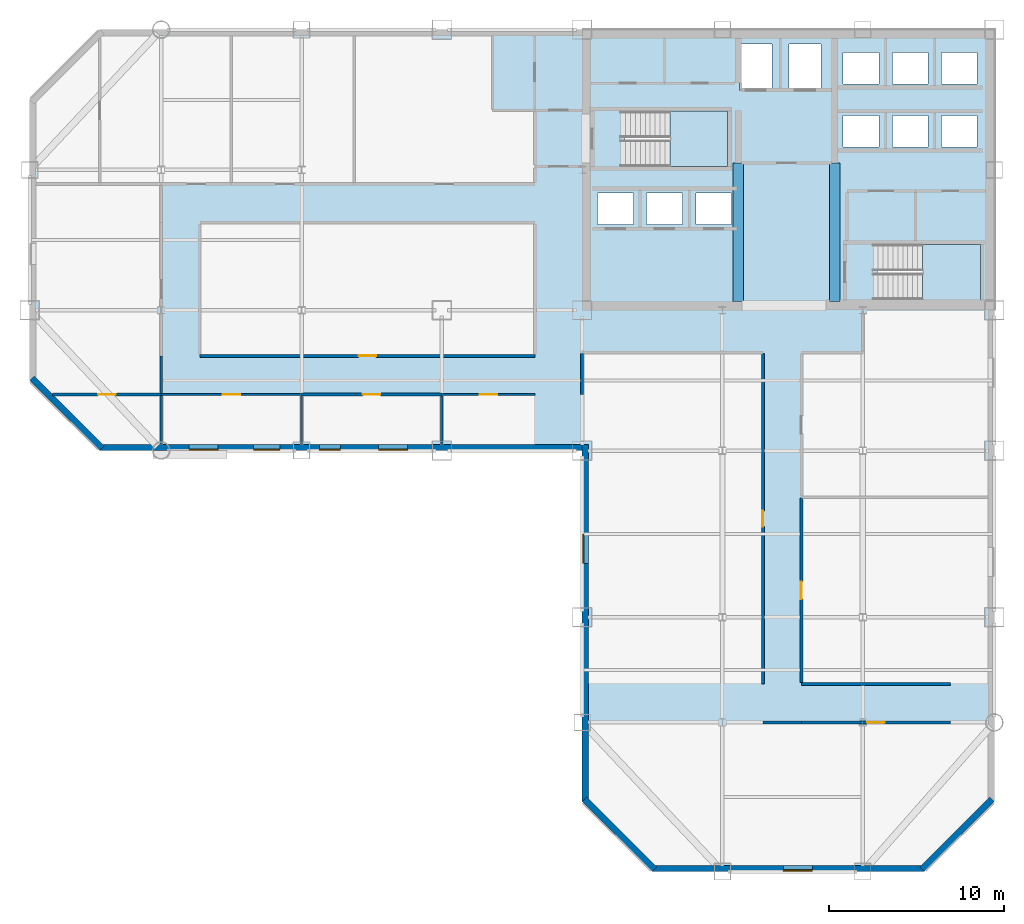
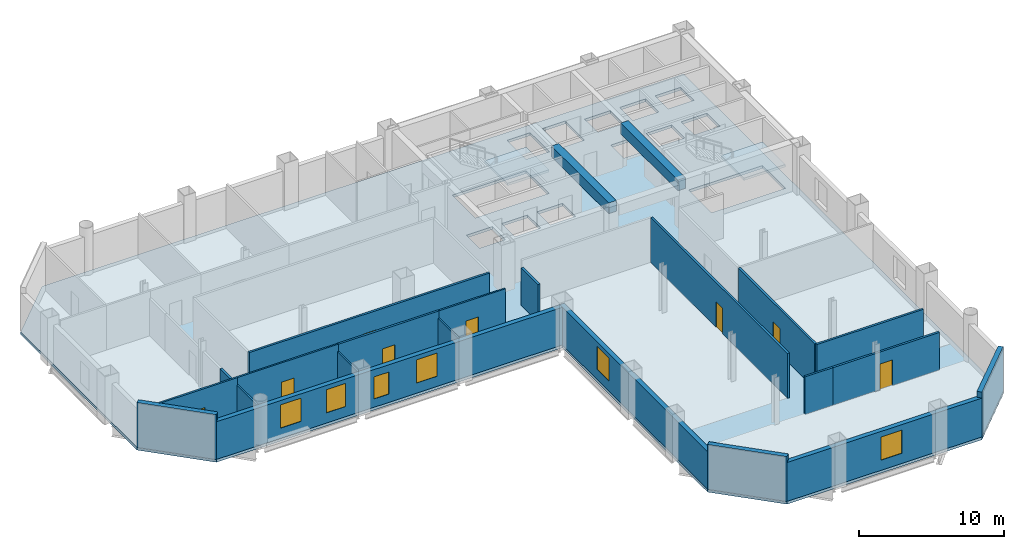
# One storey, part 5 of 10: 21 walls, 8 doors, 6 windows, 3 slabs, 2 beams, 14 openings, 2 elements without a shape of their own.
"""IFC4 building model written with IfcOpenShell, lengths in metres."""

from ifc_helpers import new_model, si_unit, direction, frame, frame_2d, origin, origin_2d, place, context, subcontext, project, spatial, polyline, rectangle, outline, extrude, material, layer, layer_set, material_profile, profile_set, type_object, element, fill, aggregate, save


model = new_model("IFC4")

# Units and contexts
model_context = context("Model", 3, precision=1e-05, world=origin(), true_north=direction((0.0, 1.0)))
body_context = subcontext(model_context, "Body", "Model", "MODEL_VIEW")
ifc_project = project(units=[si_unit("LENGTHUNIT", "METRE"), si_unit("AREAUNIT", "SQUARE_METRE"), si_unit("VOLUMEUNIT", "CUBIC_METRE"), si_unit("PLANEANGLEUNIT", "RADIAN"), si_unit("MASSUNIT", "GRAM", prefix="KILO")], contexts=[model_context])

# Site, building, storey
site_placement = place(None, origin())
site = spatial("IfcSite", under=ifc_project, at=site_placement, CompositionType="ELEMENT")
building_placement = place(site_placement, origin())
building = spatial("IfcBuilding", under=site, at=building_placement, Name="Qianrong Seaharbour Tower", CompositionType="ELEMENT")
storey_placement = place(building_placement, frame((0.0, 0.0, 167.0)))
storey = spatial("IfcBuildingStorey", under=building, at=storey_placement, Name="L40", CompositionType="ELEMENT", Elevation=167.0)

# Beams
ifc_material_1 = material(Name="Concrete C70/85", Category="concrete")
ifc_material_profile = material_profile(ifc_material_1, rectangle(XDim=0.60009765625, YDim=0.89990234375, at=origin_2d()), Name="RC600x900")
ifc_profile_set = profile_set([ifc_material_profile], Name="Concrete C70/85")
beam_type = type_object("IfcBeamType", Name="BM-LINTEL-900", PredefinedType="LINTEL", material=ifc_profile_set)
for number, where, z_axis, x_axis, name in (
    (1, (49.39990234375, 36.5, 3.31494140625), (0.0, 1.0, 0.0), (-1.0, 0.0, 0.0), "L40 Internal Core Coupling Beam IW1"),
    (2, (54.89990234375, 36.5, 3.31494140625), (0.0, 1.0, 0.0), (-1.0, 0.0, 0.0), "L40 Internal Core Coupling Beam IW2"),
):
    element("IfcBeam", number, at=place(storey_placement, frame(where, z_axis=z_axis, x_axis=x_axis)), inside=storey, type_object=beam_type, Name=name, PredefinedType="LINTEL", context=body_context, shape_type="SweptSolid", body=[
        extrude(rectangle(XDim=0.60009765625, YDim=0.89990234375, at=origin_2d()), origin(), (0.0, 0.0, 1.0), 7.89990234375),
    ])

# Stair, slab
ifc_material_2 = material(Name="Concrete C50/60", Category="concrete")
stair_type = type_object("IfcStairType", Name="STAIR-DOGLEG-1500-R22", PredefinedType="HALF_TURN_STAIR", material=ifc_material_2)
stair_1_placement = place(storey_placement, origin())
stair_1 = element("IfcStair", 3, at=stair_1_placement, inside=storey, type_object=stair_type, Name="L40 Protected Escape Stair ST-1", PredefinedType="HALF_TURN_STAIR")
ifc_layer_1 = layer(ifc_material_2, 0.199951171875)
ifc_layer_set_1 = layer_set([ifc_layer_1], Name="Concrete C50/60")
slab_type_1 = type_object("IfcSlabType", Name="SLAB-STAIR-LANDING-200", PredefinedType="LANDING", material=ifc_layer_set_1)
slab_1_placement = place(storey_placement, frame((0.0, 0.0, 1.800048828125)))
slab_1 = element("IfcSlab", 4, at=slab_1_placement, type_object=slab_type_1, Name="ST-1 landing 1", PredefinedType="LANDING", context=body_context, shape_type="SweptSolid", body=[
    extrude(outline(polyline([(45.5, 44.199951171875), (48.800048828125, 44.199951171875), (48.800048828125, 47.35009765625), (45.5, 47.35009765625), (45.5, 44.199951171875)])), origin(), (0.0, 0.0, 1.0), 0.199951171875),
])
aggregate(stair_1, [slab_1])

stair_2_placement = place(storey_placement, origin())
stair_2 = element("IfcStair", 5, at=stair_2_placement, inside=storey, type_object=stair_type, Name="L40 Protected Escape Stair ST-2", PredefinedType="HALF_TURN_STAIR")
slab_2_placement = place(storey_placement, frame((0.0, 0.0, 1.800048828125)))
slab_2 = element("IfcSlab", 6, at=slab_2_placement, type_object=slab_type_1, Name="ST-2 landing 1", PredefinedType="LANDING", context=body_context, shape_type="SweptSolid", body=[
    extrude(outline(polyline([(59.89990234375, 36.60009765625), (63.199951171875, 36.60009765625), (63.199951171875, 39.75), (59.89990234375, 39.75), (59.89990234375, 36.60009765625)])), origin(), (0.0, 0.0, 1.0), 0.199951171875),
])
aggregate(stair_2, [slab_2])

# Slab
ifc_layer_2 = layer(ifc_material_2, 0.235107421875)
ifc_layer_set_2 = layer_set([ifc_layer_2], Name="Concrete C50/60")
slab_type_2 = type_object("IfcSlabType", Name="SLAB-Z2-235", PredefinedType="FLOOR", material=ifc_layer_set_2)
slab_3_placement = place(storey_placement, frame((0.0, 0.0, -0.235107421875)))
element("IfcSlab", 7, at=slab_3_placement, inside=storey, type_object=slab_type_2, Name="L40 Structural Floor Slab", PredefinedType="FLOOR", context=body_context, shape_type="SweptSolid", body=[
    extrude(outline(polyline([(44.5, 4.0), (60.0, 4.0), (64.0, 8.0), (64.0, 52.0), (13.0, 52.0), (9.0, 48.0), (9.0, 32.0), (13.0, 28.0), (40.5, 28.0), (40.5, 8.0), (44.5, 4.0)]), holes=[polyline([(42.93994140625, 44.199951171875), (42.93994140625, 47.35009765625), (48.800048828125, 47.35009765625), (48.800048828125, 44.199951171875), (42.93994140625, 44.199951171875)]), polyline([(57.340087890625, 36.60009765625), (57.340087890625, 39.75), (63.199951171875, 39.75), (63.199951171875, 36.60009765625), (57.340087890625, 36.60009765625)]), polyline([(49.47998046875, 48.530029296875), (49.47998046875, 51.169921875), (51.320068359375, 51.169921875), (51.320068359375, 48.530029296875), (49.47998046875, 48.530029296875)]), polyline([(52.280029296875, 48.530029296875), (52.280029296875, 51.169921875), (54.1201171875, 51.169921875), (54.1201171875, 48.530029296875), (52.280029296875, 48.530029296875)]), polyline([(41.3798828125, 40.89990234375), (41.3798828125, 42.699951171875), (43.419921875, 42.699951171875), (43.419921875, 40.89990234375), (41.3798828125, 40.89990234375)]), polyline([(44.179931640625, 40.89990234375), (44.179931640625, 42.699951171875), (46.219970703125, 42.699951171875), (46.219970703125, 40.89990234375), (44.179931640625, 40.89990234375)]), polyline([(46.97998046875, 40.89990234375), (46.97998046875, 42.699951171875), (49.02001953125, 42.699951171875), (49.02001953125, 40.89990234375), (46.97998046875, 40.89990234375)]), polyline([(55.3798828125, 45.300048828125), (55.3798828125, 47.10009765625), (57.419921875, 47.10009765625), (57.419921875, 45.300048828125), (55.3798828125, 45.300048828125)]), polyline([(58.179931640625, 45.300048828125), (58.179931640625, 47.10009765625), (60.219970703125, 47.10009765625), (60.219970703125, 45.300048828125), (58.179931640625, 45.300048828125)]), polyline([(60.97998046875, 45.300048828125), (60.97998046875, 47.10009765625), (63.02001953125, 47.10009765625), (63.02001953125, 45.300048828125), (60.97998046875, 45.300048828125)]), polyline([(55.3798828125, 48.89990234375), (55.3798828125, 50.699951171875), (57.419921875, 50.699951171875), (57.419921875, 48.89990234375), (55.3798828125, 48.89990234375)]), polyline([(58.179931640625, 48.89990234375), (58.179931640625, 50.699951171875), (60.219970703125, 50.699951171875), (60.219970703125, 48.89990234375), (58.179931640625, 48.89990234375)]), polyline([(60.97998046875, 48.89990234375), (60.97998046875, 50.699951171875), (63.02001953125, 50.699951171875), (63.02001953125, 48.89990234375), (60.97998046875, 48.89990234375)])]), origin(), (0.0, 0.0, 1.0), 0.235107421875),
])

# Wall, opening, door
ifc_material_3 = material(Name="Fire-rated acoustic gypsum board partition")
ifc_layer_3 = layer(ifc_material_3, 0.1650390625)
ifc_layer_set_3 = layer_set([ifc_layer_3], Name="Fire-rated acoustic gypsum board partition")
wall_type_1 = type_object("IfcWallType", Name="WALL-CORR-PART-165", PredefinedType="PARTITIONING", material=ifc_layer_set_3)
wall_1_placement = place(storey_placement, frame((18.699951171875, 33.39990234375, 0.0), z_axis=(0.0, 0.0, 1.0), x_axis=(1.0, 0.0, 0.0)))
wall_1 = element("IfcWall", 8, at=wall_1_placement, inside=storey, type_object=wall_type_1, Name="L40 Interior Partition Wall 015", PredefinedType="PARTITIONING", context=body_context, shape_type="SweptSolid", body=[
    extrude(rectangle(XDim=19.10009765625, YDim=0.1650390625, at=frame_2d((9.550048828125, 0.0))), origin(), (0.0, 0.0, 1.0), 3.764892578125),
])
opening_1_placement = place(wall_1_placement, frame((9.050048828125, 0.0, 0.0)))
opening_1 = element("IfcOpeningElement", 9, at=opening_1_placement, cuts=wall_1, Name="Opening DO-01", PredefinedType="OPENING", context=body_context, shape_type="SweptSolid", body=[
    extrude(rectangle(XDim=1.0, YDim=2.14990234375, at=frame_2d((0.5, 1.074951171875))), frame((0.0, 0.092529296875, 0.0), z_axis=(0.0, -1.0, 0.0), x_axis=(1.0, 0.0, 0.0)), (0.0, 0.0, 1.0), 0.18505859375),
])
ifc_material_4 = material(Name="Acoustic timber and galvanized steel fire door assembly", Category="steel")
door_type_1 = type_object("IfcDoorType", Name="DOOR-OFFICE-1000x2150", OperationType="NOTDEFINED", PredefinedType="DOOR", material=ifc_material_4)
door_1_placement = place(opening_1_placement, origin())
door_1 = element("IfcDoor", 10, at=door_1_placement, inside=storey, type_object=door_type_1, Name="L40 Rehabilitation Fitness Hall Door", OperationType="SINGLE_SWING_LEFT", OverallHeight=2.14990234375, OverallWidth=1.0, PredefinedType="DOOR", context=body_context, shape_type="SweptSolid", body=[
    extrude(rectangle(XDim=1.0, YDim=2.14990234375, at=frame_2d((0.5, 1.074951171875))), frame((0.0, 0.02490234375, 0.0), z_axis=(0.0, -1.0, 0.0), x_axis=(1.0, 0.0, 0.0)), (0.0, 0.0, 1.0), 0.050048828125),
])
fill(opening_1, door_1)

wall_2_placement = place(storey_placement, frame((32.5, 31.199951171875, 0.0), z_axis=(0.0, 0.0, 1.0), x_axis=(-1.0, 0.0, 0.0)))
wall_2 = element("IfcWall", 11, at=wall_2_placement, inside=storey, type_object=wall_type_1, Name="L40 Interior Partition Wall 017", PredefinedType="PARTITIONING", context=body_context, shape_type="SweptSolid", body=[
    extrude(rectangle(XDim=8.0, YDim=0.1650390625, at=frame_2d((4.0, 0.0))), origin(), (0.0, 0.0, 1.0), 3.764892578125),
])
opening_2_placement = place(wall_2_placement, frame((3.5, 0.0, 0.0)))
opening_2 = element("IfcOpeningElement", 12, at=opening_2_placement, cuts=wall_2, Name="Opening DO-01", PredefinedType="OPENING", context=body_context, shape_type="SweptSolid", body=[
    extrude(rectangle(XDim=1.0, YDim=2.14990234375, at=frame_2d((0.5, 1.074951171875))), frame((0.0, 0.092529296875, 0.0), z_axis=(0.0, -1.0, 0.0), x_axis=(1.0, 0.0, 0.0)), (0.0, 0.0, 1.0), 0.18505859375),
])
door_2_placement = place(opening_2_placement, origin())
door_2 = element("IfcDoor", 13, at=door_2_placement, inside=storey, type_object=door_type_1, Name="L40 Wellness Room 3 Door", OperationType="SINGLE_SWING_RIGHT", OverallHeight=2.14990234375, OverallWidth=1.0, PredefinedType="DOOR", context=body_context, shape_type="SweptSolid", body=[
    extrude(rectangle(XDim=1.0, YDim=2.14990234375, at=frame_2d((0.5, 1.074951171875))), frame((0.0, 0.02490234375, 0.0), z_axis=(0.0, -1.0, 0.0), x_axis=(1.0, 0.0, 0.0)), (0.0, 0.0, 1.0), 0.050048828125),
])
fill(opening_2, door_2)

# Walls
wall_3_placement = place(storey_placement, frame((16.5, 31.264404296875, 0.0), z_axis=(0.0, 0.0, 1.0), x_axis=(0.0, 1.0, 0.0)))
element("IfcWall", 14, at=wall_3_placement, inside=storey, type_object=wall_type_1, Name="L40 Interior Partition Wall 019", PredefinedType="PARTITIONING", context=body_context, shape_type="SweptSolid", body=[
    extrude(rectangle(XDim=2.135498046875, YDim=0.1650390625, at=frame_2d((1.06787109375, 0.0))), origin(), (0.0, 0.0, 1.0), 3.156982421875),
])
wall_4_placement = place(storey_placement, frame((40.5, 33.525390625, 0.0), z_axis=(0.0, 0.0, 1.0), x_axis=(0.0, -1.0, 0.0)))
element("IfcWall", 15, at=wall_4_placement, inside=storey, type_object=wall_type_1, Name="L40 Interior Partition Wall 029", PredefinedType="PARTITIONING", context=body_context, shape_type="SweptSolid", body=[
    extrude(rectangle(XDim=2.325439453125, YDim=0.1650390625, at=frame_2d((1.16259765625, 0.0))), origin(), (0.0, 0.0, 1.0), 3.156982421875),
])
wall_5_placement = place(storey_placement, frame((53.0, 12.5, 0.0), z_axis=(0.0, 0.0, 1.0), x_axis=(-1.0, 0.0, 0.0)))
element("IfcWall", 16, at=wall_5_placement, inside=storey, type_object=wall_type_1, Name="L40 Interior Partition Wall 033", PredefinedType="PARTITIONING", context=body_context, shape_type="SweptSolid", body=[
    extrude(rectangle(XDim=2.199951171875, YDim=0.1650390625, at=frame_2d((1.10009765625, 0.0))), origin(), (0.0, 0.0, 1.0), 3.156982421875),
])

# Wall, opening, door
wall_6_placement = place(storey_placement, frame((53.0, 25.285400390625, 0.0), z_axis=(0.0, 0.0, 1.0), x_axis=(0.0, -1.0, 0.0)))
wall_6 = element("IfcWall", 17, at=wall_6_placement, inside=storey, type_object=wall_type_1, Name="L40 Interior Partition Wall 034", PredefinedType="PARTITIONING", context=body_context, shape_type="SweptSolid", body=[
    extrude(rectangle(XDim=10.510986328125, YDim=0.1650390625, at=frame_2d((5.25537109375, 0.0))), origin(), (0.0, 0.0, 1.0), 3.764892578125),
])
opening_3_placement = place(wall_6_placement, frame((4.755615234375, 0.0, 0.0)))
opening_3 = element("IfcOpeningElement", 18, at=opening_3_placement, cuts=wall_6, Name="Opening DO-01", PredefinedType="OPENING", context=body_context, shape_type="SweptSolid", body=[
    extrude(rectangle(XDim=1.0, YDim=2.14990234375, at=frame_2d((0.5, 1.074951171875))), frame((0.0, 0.092529296875, 0.0), z_axis=(0.0, -1.0, 0.0), x_axis=(1.0, 0.0, 0.0)), (0.0, 0.0, 1.0), 0.18505859375),
])
door_3_placement = place(opening_3_placement, origin())
door_3 = element("IfcDoor", 19, at=door_3_placement, inside=storey, type_object=door_type_1, Name="L40 Operations Open-Plan Office Door", OperationType="SINGLE_SWING_LEFT", OverallHeight=2.14990234375, OverallWidth=1.0, PredefinedType="DOOR", context=body_context, shape_type="SweptSolid", body=[
    extrude(rectangle(XDim=1.0, YDim=2.14990234375, at=frame_2d((0.5, 1.074951171875))), frame((0.0, 0.02490234375, 0.0), z_axis=(0.0, -1.0, 0.0), x_axis=(1.0, 0.0, 0.0)), (0.0, 0.0, 1.0), 0.050048828125),
])
fill(opening_3, door_3)

wall_7_placement = place(storey_placement, frame((50.800048828125, 14.699951171875, 0.0), z_axis=(0.0, 0.0, 1.0), x_axis=(0.0, 1.0, 0.0)))
wall_7 = element("IfcWall", 20, at=wall_7_placement, inside=storey, type_object=wall_type_1, Name="L40 Interior Partition Wall 036", PredefinedType="PARTITIONING", context=body_context, shape_type="SweptSolid", body=[
    extrude(rectangle(XDim=18.825439453125, YDim=0.1650390625, at=frame_2d((9.41259765625, 0.0))), origin(), (0.0, 0.0, 1.0), 3.764892578125),
])
opening_4_placement = place(wall_7_placement, frame((8.962890625, 0.0, 0.0)))
opening_4 = element("IfcOpeningElement", 21, at=opening_4_placement, cuts=wall_7, Name="Opening DS-01", PredefinedType="OPENING", context=body_context, shape_type="SweptSolid", body=[
    extrude(rectangle(XDim=0.89990234375, YDim=2.14990234375, at=frame_2d((0.449951171875, 1.074951171875))), frame((0.0, 0.092529296875, 0.0), z_axis=(0.0, -1.0, 0.0), x_axis=(1.0, 0.0, 0.0)), (0.0, 0.0, 1.0), 0.18505859375),
])
door_type_2 = type_object("IfcDoorType", Name="DOOR-STORE-900x2150", OperationType="NOTDEFINED", PredefinedType="DOOR", material=ifc_material_4)
door_4_placement = place(opening_4_placement, origin())
door_4 = element("IfcDoor", 22, at=door_4_placement, inside=storey, type_object=door_type_2, Name="L40 Clinical Dispensary Store Door", OperationType="SINGLE_SWING_LEFT", OverallHeight=2.14990234375, OverallWidth=0.89990234375, PredefinedType="DOOR", context=body_context, shape_type="SweptSolid", body=[
    extrude(rectangle(XDim=0.89990234375, YDim=2.14990234375, at=frame_2d((0.449951171875, 1.074951171875))), frame((0.0, 0.02490234375, 0.0), z_axis=(0.0, -1.0, 0.0), x_axis=(1.0, 0.0, 0.0)), (0.0, 0.0, 1.0), 0.050048828125),
])
fill(opening_4, door_4)

wall_8_placement = place(storey_placement, frame((61.5, 12.5, 0.0), z_axis=(0.0, 0.0, 1.0), x_axis=(-1.0, 0.0, 0.0)))
wall_8 = element("IfcWall", 23, at=wall_8_placement, inside=storey, type_object=wall_type_1, Name="L40 Interior Partition Wall 037", PredefinedType="PARTITIONING", context=body_context, shape_type="SweptSolid", body=[
    extrude(rectangle(XDim=8.5, YDim=0.1650390625, at=frame_2d((4.25, 0.0))), origin(), (0.0, 0.0, 1.0), 3.156982421875),
])
opening_5_placement = place(wall_8_placement, frame((3.75, 0.0, 0.0)))
opening_5 = element("IfcOpeningElement", 24, at=opening_5_placement, cuts=wall_8, Name="Opening DO-01", PredefinedType="OPENING", context=body_context, shape_type="SweptSolid", body=[
    extrude(rectangle(XDim=1.0, YDim=2.14990234375, at=frame_2d((0.5, 1.074951171875))), frame((0.0, 0.092529296875, 0.0), z_axis=(0.0, -1.0, 0.0), x_axis=(1.0, 0.0, 0.0)), (0.0, 0.0, 1.0), 0.18505859375),
])
door_5_placement = place(opening_5_placement, origin())
door_5 = element("IfcDoor", 25, at=door_5_placement, inside=storey, type_object=door_type_1, Name="L40 South Tip Open-Plan Office Door", OperationType="SINGLE_SWING_RIGHT", OverallHeight=2.14990234375, OverallWidth=1.0, PredefinedType="DOOR", context=body_context, shape_type="SweptSolid", body=[
    extrude(rectangle(XDim=1.0, YDim=2.14990234375, at=frame_2d((0.5, 1.074951171875))), frame((0.0, 0.02490234375, 0.0), z_axis=(0.0, -1.0, 0.0), x_axis=(1.0, 0.0, 0.0)), (0.0, 0.0, 1.0), 0.050048828125),
])
fill(opening_5, door_5)

# Wall
wall_9_placement = place(storey_placement, frame((53.0, 14.699951171875, 0.0), z_axis=(0.0, 0.0, 1.0), x_axis=(1.0, 0.0, 0.0)))
element("IfcWall", 26, at=wall_9_placement, inside=storey, type_object=wall_type_1, Name="L40 Interior Partition Wall 038", PredefinedType="PARTITIONING", context=body_context, shape_type="SweptSolid", body=[
    extrude(rectangle(XDim=8.5, YDim=0.1650390625, at=frame_2d((4.25, 0.0))), origin(), (0.0, 0.0, 1.0), 3.764892578125),
])

# Wall, opening, window
ifc_material_5 = material(Name="Unitised red brick on Precast concrete C45/55", Category="masonry")
ifc_layer_4 = layer(ifc_material_5, 0.360107421875)
ifc_layer_set_4 = layer_set([ifc_layer_4], Name="Unitised red brick on Precast concrete C45/55")
wall_type_2 = type_object("IfcWallType", Name="WALL-EXT-BRICK-RED-360", PredefinedType="SOLIDWALL", material=ifc_layer_set_4)
wall_10_placement = place(storey_placement, frame((40.679931640625, 8.0, 0.0), z_axis=(0.0, 0.0, 1.0), x_axis=(0.0, 1.0, 0.0)))
wall_10 = element("IfcWall", 27, at=wall_10_placement, inside=storey, type_object=wall_type_2, Name="L40 Exterior Masonry Facade Wall REENTRANT_WEST", PredefinedType="SOLIDWALL", context=body_context, shape_type="SweptSolid", body=[
    extrude(rectangle(XDim=20.360107421875, YDim=0.360107421875, at=frame_2d((10.18017578125, 0.0))), origin(), (0.0, 0.0, 1.0), 3.1650390625),
])
opening_6_placement = place(wall_10_placement, frame((13.574951171875, 0.0, 0.85009765625)))
opening_6 = element("IfcOpeningElement", 28, at=opening_6_placement, cuts=wall_10, Name="Opening WN-04", PredefinedType="OPENING", context=body_context, shape_type="SweptSolid", body=[
    extrude(rectangle(XDim=1.64990234375, YDim=1.949951171875, at=frame_2d((0.824951171875, 0.97509765625))), frame((0.0, 0.18994140625, 0.0), z_axis=(0.0, -1.0, 0.0), x_axis=(1.0, 0.0, 0.0)), (0.0, 0.0, 1.0), 0.380126953125),
])
ifc_material_6 = material(Name="Insulated low-e double glazing in thermally broken aluminium 6063-T6 frame", Category="aluminium")
window_type_1 = type_object("IfcWindowType", Name="WIN-PUNCH-1650x1950", PartitioningType="DOUBLE_PANEL_VERTICAL", PredefinedType="WINDOW", material=ifc_material_6)
window_1_placement = place(opening_6_placement, origin())
window_1 = element("IfcWindow", 29, at=window_1_placement, inside=storey, type_object=window_type_1, Name="L40 Deep-Set Punched Window 00.04", OverallHeight=1.949951171875, OverallWidth=1.64990234375, PartitioningType="DOUBLE_PANEL_VERTICAL", PredefinedType="WINDOW", context=body_context, shape_type="SweptSolid", body=[
    extrude(rectangle(XDim=1.64990234375, YDim=1.949951171875, at=frame_2d((0.824951171875, 0.97509765625))), frame((0.0, 0.150146484375, 0.0), z_axis=(0.0, -1.0, 0.0), x_axis=(1.0, 0.0, 0.0)), (0.0, 0.0, 1.0), 0.06005859375),
])
fill(opening_6, window_1)

# Wall, openings, windows
wall_11_placement = place(storey_placement, frame((40.52001953125, 28.179931640625, 0.0), z_axis=(0.0, 0.0, 1.0), x_axis=(-1.0, 0.0, 0.0)))
wall_11 = element("IfcWall", 30, at=wall_11_placement, inside=storey, type_object=wall_type_2, Name="L40 Exterior Masonry Facade Wall HARBOUR_RIBBON", PredefinedType="SOLIDWALL", context=body_context, shape_type="SweptSolid", body=[
    extrude(rectangle(XDim=27.52001953125, YDim=0.360107421875, at=frame_2d((13.760009765625, 0.0))), origin(), (0.0, 0.0, 1.0), 3.1650390625),
])
opening_7_placement = place(wall_11_placement, frame((9.97509765625, 0.0, 0.85009765625)))
opening_7 = element("IfcOpeningElement", 31, at=opening_7_placement, cuts=wall_11, Name="Opening WN-04", PredefinedType="OPENING", context=body_context, shape_type="SweptSolid", body=[
    extrude(rectangle(XDim=1.64990234375, YDim=1.949951171875, at=frame_2d((0.824951171875, 0.97509765625))), frame((0.0, 0.18994140625, 0.0), z_axis=(0.0, -1.0, 0.0), x_axis=(1.0, 0.0, 0.0)), (0.0, 0.0, 1.0), 0.380126953125),
])
opening_8_placement = place(wall_11_placement, frame((13.800048828125, 0.0, 0.699951171875)))
opening_8 = element("IfcOpeningElement", 32, at=opening_8_placement, cuts=wall_11, Name="Opening WN-01", PredefinedType="OPENING", context=body_context, shape_type="SweptSolid", body=[
    extrude(rectangle(XDim=1.199951171875, YDim=1.85009765625, at=frame_2d((0.60009765625, 0.925048828125))), frame((0.0, 0.18994140625, 0.0), z_axis=(0.0, -1.0, 0.0), x_axis=(1.0, 0.0, 0.0)), (0.0, 0.0, 1.0), 0.380126953125),
])
opening_9_placement = place(wall_11_placement, frame((17.25, 0.0, 0.85009765625)))
opening_9 = element("IfcOpeningElement", 33, at=opening_9_placement, cuts=wall_11, Name="Opening WN-03", PredefinedType="OPENING", context=body_context, shape_type="SweptSolid", body=[
    extrude(rectangle(XDim=1.5, YDim=1.949951171875, at=frame_2d((0.75, 0.97509765625))), frame((0.0, 0.18994140625, 0.0), z_axis=(0.0, -1.0, 0.0), x_axis=(1.0, 0.0, 0.0)), (0.0, 0.0, 1.0), 0.380126953125),
])
opening_10_placement = place(wall_11_placement, frame((20.77490234375, 0.0, 0.85009765625)))
opening_10 = element("IfcOpeningElement", 34, at=opening_10_placement, cuts=wall_11, Name="Opening WN-04", PredefinedType="OPENING", context=body_context, shape_type="SweptSolid", body=[
    extrude(rectangle(XDim=1.64990234375, YDim=1.949951171875, at=frame_2d((0.824951171875, 0.97509765625))), frame((0.0, 0.18994140625, 0.0), z_axis=(0.0, -1.0, 0.0), x_axis=(1.0, 0.0, 0.0)), (0.0, 0.0, 1.0), 0.380126953125),
])
window_type_2 = type_object("IfcWindowType", Name="WIN-PUNCH-1200x1850", PartitioningType="DOUBLE_PANEL_VERTICAL", PredefinedType="WINDOW", material=ifc_material_6)
window_2_placement = place(opening_8_placement, origin())
window_2 = element("IfcWindow", 35, at=window_2_placement, inside=storey, type_object=window_type_2, Name="L40 Deep-Set Punched Window 01.04", OverallHeight=1.85009765625, OverallWidth=1.199951171875, PartitioningType="DOUBLE_PANEL_VERTICAL", PredefinedType="WINDOW", context=body_context, shape_type="SweptSolid", body=[
    extrude(rectangle(XDim=1.199951171875, YDim=1.85009765625, at=frame_2d((0.60009765625, 0.925048828125))), frame((0.0, 0.150146484375, 0.0), z_axis=(0.0, -1.0, 0.0), x_axis=(1.0, 0.0, 0.0)), (0.0, 0.0, 1.0), 0.06005859375),
])
fill(opening_8, window_2)
window_type_3 = type_object("IfcWindowType", Name="WIN-PUNCH-1500x1950", PartitioningType="DOUBLE_PANEL_VERTICAL", PredefinedType="WINDOW", material=ifc_material_6)
window_3_placement = place(opening_9_placement, origin())
window_3 = element("IfcWindow", 36, at=window_3_placement, inside=storey, type_object=window_type_3, Name="L40 Deep-Set Punched Window 01.05", OverallHeight=1.949951171875, OverallWidth=1.5, PartitioningType="DOUBLE_PANEL_VERTICAL", PredefinedType="WINDOW", context=body_context, shape_type="SweptSolid", body=[
    extrude(rectangle(XDim=1.5, YDim=1.949951171875, at=frame_2d((0.75, 0.97509765625))), frame((0.0, 0.150146484375, 0.0), z_axis=(0.0, -1.0, 0.0), x_axis=(1.0, 0.0, 0.0)), (0.0, 0.0, 1.0), 0.06005859375),
])
fill(opening_9, window_3)
window_4_placement = place(opening_7_placement, origin())
window_4 = element("IfcWindow", 37, at=window_4_placement, inside=storey, type_object=window_type_1, Name="L40 Deep-Set Punched Window 01.03", OverallHeight=1.949951171875, OverallWidth=1.64990234375, PartitioningType="DOUBLE_PANEL_VERTICAL", PredefinedType="WINDOW", context=body_context, shape_type="SweptSolid", body=[
    extrude(rectangle(XDim=1.64990234375, YDim=1.949951171875, at=frame_2d((0.824951171875, 0.97509765625))), frame((0.0, 0.150146484375, 0.0), z_axis=(0.0, -1.0, 0.0), x_axis=(1.0, 0.0, 0.0)), (0.0, 0.0, 1.0), 0.06005859375),
])
fill(opening_7, window_4)
window_5_placement = place(opening_10_placement, origin())
window_5 = element("IfcWindow", 38, at=window_5_placement, inside=storey, type_object=window_type_1, Name="L40 Deep-Set Punched Window 01.06", OverallHeight=1.949951171875, OverallWidth=1.64990234375, PartitioningType="DOUBLE_PANEL_VERTICAL", PredefinedType="WINDOW", context=body_context, shape_type="SweptSolid", body=[
    extrude(rectangle(XDim=1.64990234375, YDim=1.949951171875, at=frame_2d((0.824951171875, 0.97509765625))), frame((0.0, 0.150146484375, 0.0), z_axis=(0.0, -1.0, 0.0), x_axis=(1.0, 0.0, 0.0)), (0.0, 0.0, 1.0), 0.06005859375),
])
fill(opening_10, window_5)

# Walls
for number, where, z_axis, x_axis, name in (
    (39, (13.127197265625, 28.127197265625, 0.0), (0.0, 0.0, 1.0), (-0.707106781187, 0.707106781187, 0.0), "L40 Exterior Masonry Facade Wall E02"),
    (40, (63.872802734375, 8.127197265625, 0.0), (0.0, 0.0, 1.0), (-0.707106781187, -0.707106781187, 0.0), "L40 Exterior Masonry Facade Wall E07"),
):
    element("IfcWall", number, at=place(storey_placement, frame(where, z_axis=z_axis, x_axis=x_axis)), inside=storey, type_object=wall_type_2, Name=name, PredefinedType="SOLIDWALL", context=body_context, shape_type="SweptSolid", body=[
        extrude(rectangle(XDim=5.65673828125, YDim=0.360107421875, at=frame_2d((2.828369140625, 0.0))), origin(), (0.0, 0.0, 1.0), 3.764892578125),
    ])

# Wall, opening, window
wall_12_placement = place(storey_placement, frame((60.0, 4.179931640625, 0.0), z_axis=(0.0, 0.0, 1.0), x_axis=(-1.0, 0.0, 0.0)))
wall_12 = element("IfcWall", 41, at=wall_12_placement, inside=storey, type_object=wall_type_2, Name="L40 Exterior Masonry Facade Wall SOUTH_TIP", PredefinedType="SOLIDWALL", context=body_context, shape_type="SweptSolid", body=[
    extrude(rectangle(XDim=15.5, YDim=0.360107421875, at=frame_2d((7.75, 0.0))), origin(), (0.0, 0.0, 1.0), 3.264892578125),
])
opening_11_placement = place(wall_12_placement, frame((6.375, 0.0, 0.85009765625)))
opening_11 = element("IfcOpeningElement", 42, at=opening_11_placement, cuts=wall_12, Name="Opening WN-04", PredefinedType="OPENING", context=body_context, shape_type="SweptSolid", body=[
    extrude(rectangle(XDim=1.64990234375, YDim=1.949951171875, at=frame_2d((0.824951171875, 0.97509765625))), frame((0.0, 0.18994140625, 0.0), z_axis=(0.0, -1.0, 0.0), x_axis=(1.0, 0.0, 0.0)), (0.0, 0.0, 1.0), 0.380126953125),
])
window_6_placement = place(opening_11_placement, origin())
window_6 = element("IfcWindow", 43, at=window_6_placement, inside=storey, type_object=window_type_1, Name="L40 Deep-Set Punched Window 08.02", OverallHeight=1.949951171875, OverallWidth=1.64990234375, PartitioningType="DOUBLE_PANEL_VERTICAL", PredefinedType="WINDOW", context=body_context, shape_type="SweptSolid", body=[
    extrude(rectangle(XDim=1.64990234375, YDim=1.949951171875, at=frame_2d((0.824951171875, 0.97509765625))), frame((0.0, 0.150146484375, 0.0), z_axis=(0.0, -1.0, 0.0), x_axis=(1.0, 0.0, 0.0)), (0.0, 0.0, 1.0), 0.06005859375),
])
fill(opening_11, window_6)

# Wall
wall_13_placement = place(storey_placement, frame((44.627197265625, 4.127197265625, 0.0), z_axis=(0.0, 0.0, 1.0), x_axis=(-0.707106781187, 0.707106781187, 0.0)))
element("IfcWall", 44, at=wall_13_placement, inside=storey, type_object=wall_type_2, Name="L40 Exterior Masonry Facade Wall E09", PredefinedType="SOLIDWALL", context=body_context, shape_type="SweptSolid", body=[
    extrude(rectangle(XDim=5.65673828125, YDim=0.360107421875, at=frame_2d((2.828369140625, 0.0))), origin(), (0.0, 0.0, 1.0), 3.764892578125),
])

# Wall, opening, door
ifc_material_7 = material(Name="Acoustic gypsum board stud partition")
ifc_layer_5 = layer(ifc_material_7, 0.14501953125)
ifc_layer_set_5 = layer_set([ifc_layer_5], Name="Acoustic gypsum board stud partition")
wall_type_3 = type_object("IfcWallType", Name="WALL-OFFICE-PART-145", PredefinedType="PARTITIONING", material=ifc_layer_set_5)
wall_14_placement = place(storey_placement, frame((10.2978515625, 31.199951171875, 0.0), z_axis=(0.0, 0.0, 1.0), x_axis=(1.0, 0.0, 0.0)))
wall_14 = element("IfcWall", 45, at=wall_14_placement, inside=storey, type_object=wall_type_3, Name="L40 Interior Partition Wall 046", PredefinedType="PARTITIONING", context=body_context, shape_type="SweptSolid", body=[
    extrude(rectangle(XDim=6.2021484375, YDim=0.14501953125, at=frame_2d((3.10107421875, 0.0))), origin(), (0.0, 0.0, 1.0), 3.764892578125),
])
opening_12_placement = place(wall_14_placement, frame((2.60107421875, 0.0, 0.0)))
opening_12 = element("IfcOpeningElement", 46, at=opening_12_placement, cuts=wall_14, Name="Opening DO-01", PredefinedType="OPENING", context=body_context, shape_type="SweptSolid", body=[
    extrude(rectangle(XDim=1.0, YDim=2.14990234375, at=frame_2d((0.5, 1.074951171875))), frame((0.0, 0.08251953125, 0.0), z_axis=(0.0, -1.0, 0.0), x_axis=(1.0, 0.0, 0.0)), (0.0, 0.0, 1.0), 0.1650390625),
])
door_6_placement = place(opening_12_placement, origin())
door_6 = element("IfcDoor", 47, at=door_6_placement, inside=storey, type_object=door_type_1, Name="L40 Wellness Room 1 Door", OperationType="SINGLE_SWING_RIGHT", OverallHeight=2.14990234375, OverallWidth=1.0, PredefinedType="DOOR", context=body_context, shape_type="SweptSolid", body=[
    extrude(rectangle(XDim=1.0, YDim=2.14990234375, at=frame_2d((0.5, 1.074951171875))), frame((0.0, 0.02490234375, 0.0), z_axis=(0.0, -1.0, 0.0), x_axis=(1.0, 0.0, 0.0)), (0.0, 0.0, 1.0), 0.050048828125),
])
fill(opening_12, door_6)

ifc_material_8 = material(Name="Water-resistant cement board sanitary partition")
ifc_layer_6 = layer(ifc_material_8, 0.1298828125)
ifc_layer_set_6 = layer_set([ifc_layer_6], Name="Water-resistant cement board sanitary partition")
wall_type_4 = type_object("IfcWallType", Name="WALL-WET-PART-130", PredefinedType="PARTITIONING", material=ifc_layer_set_6)
wall_15_placement = place(storey_placement, frame((24.5, 31.199951171875, 0.0), z_axis=(0.0, 0.0, 1.0), x_axis=(-1.0, 0.0, 0.0)))
wall_15 = element("IfcWall", 48, at=wall_15_placement, inside=storey, type_object=wall_type_4, Name="L40 Interior Partition Wall 016", PredefinedType="PARTITIONING", context=body_context, shape_type="SweptSolid", body=[
    extrude(rectangle(XDim=8.0, YDim=0.1298828125, at=frame_2d((4.0, 0.0))), origin(), (0.0, 0.0, 1.0), 3.764892578125),
])
opening_13_placement = place(wall_15_placement, frame((3.5, 0.0, 0.0)))
opening_13 = element("IfcOpeningElement", 49, at=opening_13_placement, cuts=wall_15, Name="Opening DO-01", PredefinedType="OPENING", context=body_context, shape_type="SweptSolid", body=[
    extrude(rectangle(XDim=1.0, YDim=2.14990234375, at=frame_2d((0.5, 1.074951171875))), frame((0.0, 0.074951171875, 0.0), z_axis=(0.0, -1.0, 0.0), x_axis=(1.0, 0.0, 0.0)), (0.0, 0.0, 1.0), 0.14990234375),
])
door_7_placement = place(opening_13_placement, origin())
door_7 = element("IfcDoor", 50, at=door_7_placement, inside=storey, type_object=door_type_1, Name="L40 Wet Pantry 2 Door", OperationType="SINGLE_SWING_LEFT", OverallHeight=2.14990234375, OverallWidth=1.0, PredefinedType="DOOR", context=body_context, shape_type="SweptSolid", body=[
    extrude(rectangle(XDim=1.0, YDim=2.14990234375, at=frame_2d((0.5, 1.074951171875))), frame((0.0, 0.02490234375, 0.0), z_axis=(0.0, -1.0, 0.0), x_axis=(1.0, 0.0, 0.0)), (0.0, 0.0, 1.0), 0.050048828125),
])
fill(opening_13, door_7)

wall_16_placement = place(storey_placement, frame((37.800048828125, 31.199951171875, 0.0), z_axis=(0.0, 0.0, 1.0), x_axis=(-1.0, 0.0, 0.0)))
wall_16 = element("IfcWall", 51, at=wall_16_placement, inside=storey, type_object=wall_type_4, Name="L40 Interior Partition Wall 018", PredefinedType="PARTITIONING", context=body_context, shape_type="SweptSolid", body=[
    extrude(rectangle(XDim=5.300048828125, YDim=0.1298828125, at=frame_2d((2.64990234375, 0.0))), origin(), (0.0, 0.0, 1.0), 3.764892578125),
])
opening_14_placement = place(wall_16_placement, frame((2.14990234375, 0.0, 0.0)))
opening_14 = element("IfcOpeningElement", 52, at=opening_14_placement, cuts=wall_16, Name="Opening DO-01", PredefinedType="OPENING", context=body_context, shape_type="SweptSolid", body=[
    extrude(rectangle(XDim=1.0, YDim=2.14990234375, at=frame_2d((0.5, 1.074951171875))), frame((0.0, 0.074951171875, 0.0), z_axis=(0.0, -1.0, 0.0), x_axis=(1.0, 0.0, 0.0)), (0.0, 0.0, 1.0), 0.14990234375),
])
door_8_placement = place(opening_14_placement, origin())
door_8 = element("IfcDoor", 53, at=door_8_placement, inside=storey, type_object=door_type_1, Name="L40 Wet Pantry 4 Door", OperationType="SINGLE_SWING_LEFT", OverallHeight=2.14990234375, OverallWidth=1.0, PredefinedType="DOOR", context=body_context, shape_type="SweptSolid", body=[
    extrude(rectangle(XDim=1.0, YDim=2.14990234375, at=frame_2d((0.5, 1.074951171875))), frame((0.0, 0.02490234375, 0.0), z_axis=(0.0, -1.0, 0.0), x_axis=(1.0, 0.0, 0.0)), (0.0, 0.0, 1.0), 0.050048828125),
])
fill(opening_14, door_8)

# Walls
wall_17_placement = place(storey_placement, frame((16.5, 31.135498046875, 0.0), z_axis=(0.0, 0.0, 1.0), x_axis=(0.0, -1.0, 0.0)))
element("IfcWall", 54, at=wall_17_placement, inside=storey, type_object=wall_type_4, Name="L40 Interior Partition Wall 045", PredefinedType="PARTITIONING", context=body_context, shape_type="SweptSolid", body=[
    extrude(rectangle(XDim=2.783447265625, YDim=0.1298828125, at=frame_2d((1.3916015625, 0.0))), origin(), (0.0, 0.0, 1.0), 3.156982421875),
])
for number, where, z_axis, x_axis, name in (
    (55, (24.5, 31.12548828125, 0.0), (0.0, 0.0, 1.0), (0.0, -1.0, 0.0), "L40 Interior Partition Wall 047"),
    (56, (32.5, 31.12548828125, 0.0), (0.0, 0.0, 1.0), (0.0, -1.0, 0.0), "L40 Interior Partition Wall 048"),
):
    element("IfcWall", number, at=place(storey_placement, frame(where, z_axis=z_axis, x_axis=x_axis)), inside=storey, type_object=wall_type_4, Name=name, PredefinedType="PARTITIONING", context=body_context, shape_type="SweptSolid", body=[
        extrude(rectangle(XDim=2.7734375, YDim=0.1298828125, at=frame_2d((1.38671875, 0.0))), origin(), (0.0, 0.0, 1.0), 3.156982421875),
    ])

save(model, "model.ifc")
